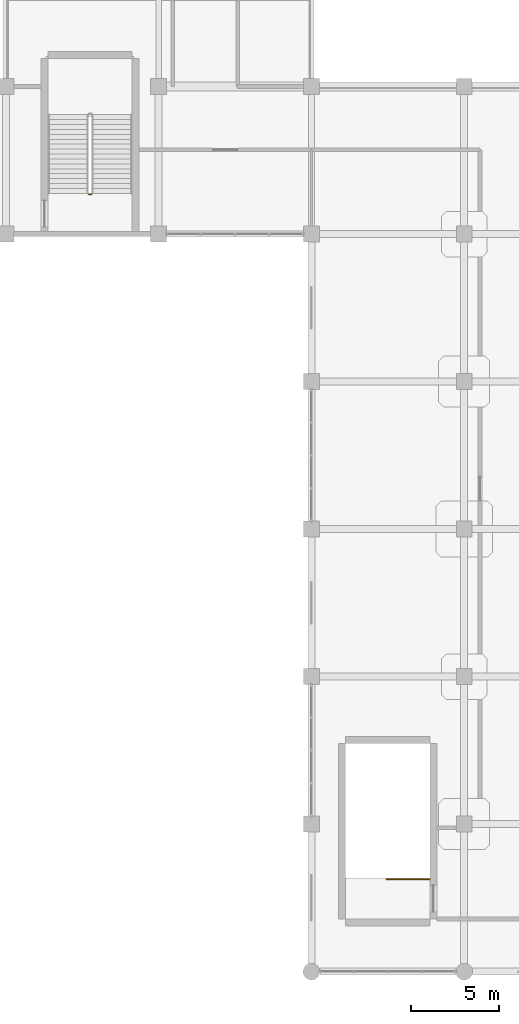
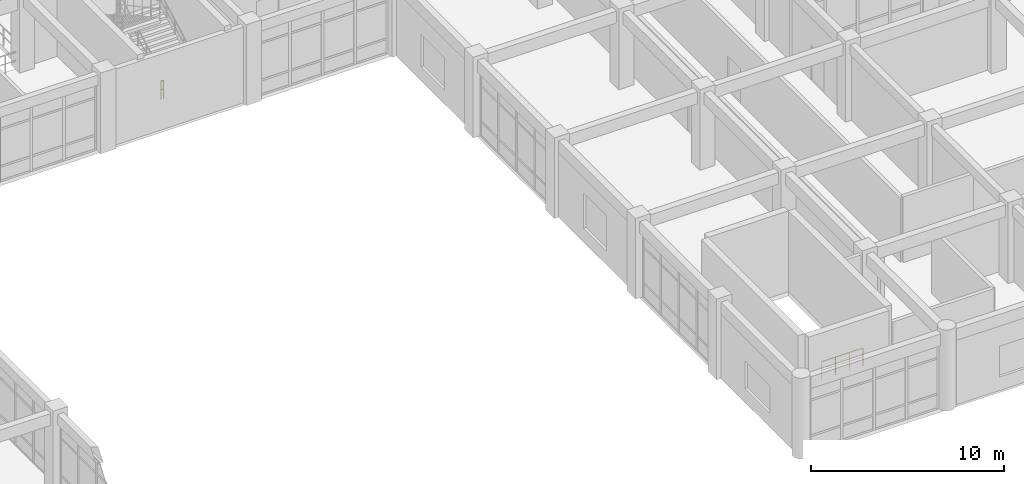
# One storey, part 113 of 120: 2 railings.
"""IFC4 building model written with IfcOpenShell, lengths in metres."""

from ifc_helpers import new_model, si_unit, derived_unit, direction, frame, origin, origin_2d, place, context, subcontext, project, spatial, circle, extrude, material, type_object, element, save


model = new_model("IFC4")

# Units and contexts
model_context = context("Model", 3, precision=1e-05, world=origin(), true_north=direction((0.0, 1.0)))
body_context = subcontext(model_context, "Body", "Model", "MODEL_VIEW")
ifc_project = project(units=[si_unit("LENGTHUNIT", "METRE"), si_unit("AREAUNIT", "SQUARE_METRE"), si_unit("VOLUMEUNIT", "CUBIC_METRE"), si_unit("PLANEANGLEUNIT", "RADIAN"), si_unit("MASSUNIT", "GRAM", prefix="KILO"), derived_unit("THERMALTRANSMITTANCEUNIT", [(si_unit("MASSUNIT", "GRAM", prefix="KILO"), 1), (si_unit("TIMEUNIT", "SECOND"), -3), (si_unit("THERMODYNAMICTEMPERATUREUNIT", "KELVIN"), -1)])], contexts=[model_context])

# Site, building, storey
site_placement = place(None, origin())
site = spatial("IfcSite", under=ifc_project, at=site_placement, CompositionType="ELEMENT")
building_placement = place(site_placement, origin())
building = spatial("IfcBuilding", under=site, at=building_placement, Name="Qinzheling Arcade Emporium", CompositionType="ELEMENT")
storey_placement = place(building_placement, frame((0.0, 0.0, 11.39990234375)))
storey = spatial("IfcBuildingStorey", under=building, at=storey_placement, Name="L03", CompositionType="ELEMENT", Elevation=11.39990234375)

# Railings
ifc_material = material(Name="Galvanised powder-coated tubular steel", Category="steel")
railing_type = type_object("IfcRailingType", Name="Painted Steel Stairwell Guard Railing 1150", PredefinedType="GUARDRAIL", material=ifc_material)
railing_1_placement = place(storey_placement, frame((91.8701171875, 44.27001953125, 0.0)))
element("IfcRailing", 1, at=railing_1_placement, inside=storey, type_object=railing_type, Name="L03 ST04 stair guard 4", PredefinedType="GUARDRAIL", context=body_context, shape_type="SweptSolid", body=[
    extrude(circle(Radius=0.02392578125, at=origin_2d()), frame((0.0, 0.0, 1.1259765625), z_axis=(-1.0, 0.0, 0.0), x_axis=(0.0, -1.0, 0.0)), (0.0, 0.0, 1.0), 0.150146484375),
    extrude(circle(Radius=0.01611328125, at=origin_2d()), frame((0.0, 0.0, 0.574951171875), z_axis=(-1.0, 0.0, 0.0), x_axis=(0.0, -1.0, 0.0)), (0.0, 0.0, 1.0), 0.150146484375),
    extrude(circle(Radius=0.02099609375, at=origin_2d()), origin(), (0.0, 0.0, 1.0), 1.101806640625),
    extrude(circle(Radius=0.02099609375, at=origin_2d()), frame((-0.150146484375, 0.0, 0.0)), (0.0, 0.0, 1.0), 1.101806640625),
])
railing_2_placement = place(storey_placement, frame((111.14501953125, 5.27001953125, 0.0)))
element("IfcRailing", 2, at=railing_2_placement, inside=storey, type_object=railing_type, Name="L03 ST05 top well guard 1", PredefinedType="GUARDRAIL", context=body_context, shape_type="SweptSolid", body=[
    extrude(circle(Radius=0.02392578125, at=origin_2d()), frame((0.0, 0.0, 1.1259765625), z_axis=(-1.0, 0.0, 0.0), x_axis=(0.0, -1.0, 0.0)), (0.0, 0.0, 1.0), 2.469970703125),
    extrude(circle(Radius=0.01611328125, at=origin_2d()), frame((0.0, 0.0, 0.574951171875), z_axis=(-1.0, 0.0, 0.0), x_axis=(0.0, -1.0, 0.0)), (0.0, 0.0, 1.0), 2.469970703125),
    extrude(circle(Radius=0.02099609375, at=origin_2d()), origin(), (0.0, 0.0, 1.0), 1.101806640625),
    extrude(circle(Radius=0.02099609375, at=origin_2d()), frame((-0.8232421875, 0.0, 0.0)), (0.0, 0.0, 1.0), 1.101806640625),
    extrude(circle(Radius=0.02099609375, at=origin_2d()), frame((-1.646728515625, 0.0, 0.0)), (0.0, 0.0, 1.0), 1.101806640625),
    extrude(circle(Radius=0.02099609375, at=origin_2d()), frame((-2.469970703125, 0.0, 0.0)), (0.0, 0.0, 1.0), 1.101806640625),
])

save(model, "model.ifc")
